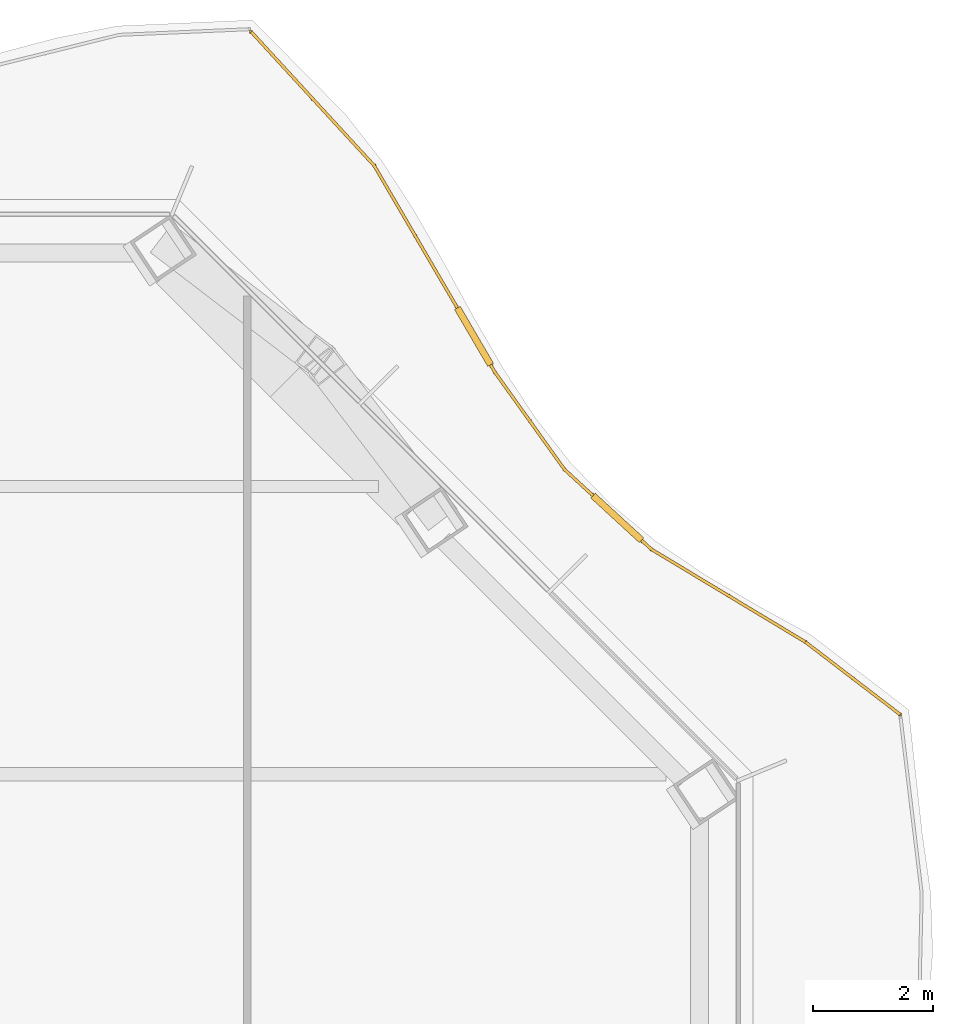
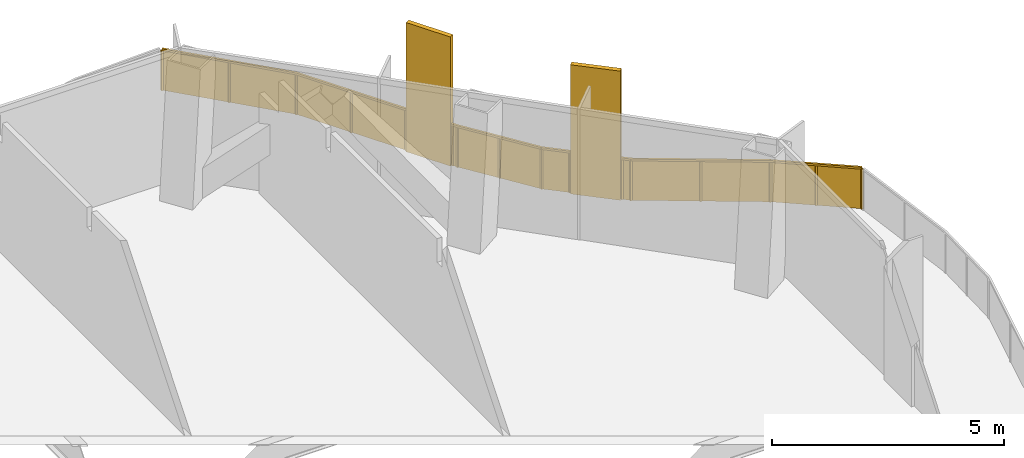
# One storey, part 22 of 22: 1 railing.
"""IFC4 building model written with IfcOpenShell, lengths in metres."""

from ifc_helpers import new_model, si_unit, direction, frame, origin, origin_2d, place, context, subcontext, project, spatial, polyline, rectangle, outline, extrude, material, type_object, element, save


model = new_model("IFC4")

# Units and contexts
model_context = context("Model", 3, precision=1e-05, world=origin(), true_north=direction((0.0, 1.0)))
body_context = subcontext(model_context, "Body", "Model", "MODEL_VIEW")
ifc_project = project(units=[si_unit("LENGTHUNIT", "METRE"), si_unit("AREAUNIT", "SQUARE_METRE"), si_unit("VOLUMEUNIT", "CUBIC_METRE"), si_unit("PLANEANGLEUNIT", "RADIAN"), si_unit("MASSUNIT", "GRAM", prefix="KILO")], contexts=[model_context])

# Site, building, storey
site_placement = place(None, origin())
site = spatial("IfcSite", under=ifc_project, at=site_placement, CompositionType="ELEMENT")
building_placement = place(site_placement, origin())
building = spatial("IfcBuilding", under=site, at=building_placement, Name="Cairn Pilgrim Tower", CompositionType="ELEMENT")
storey_placement = place(building_placement, frame((0.0, 0.0, 112.199951171875)))
storey = spatial("IfcBuildingStorey", under=building, at=storey_placement, Name="L27", CompositionType="ELEMENT", Elevation=112.199951171875)

# Railing
ifc_material = material(Name="Bronze anodised aluminium rail, posts and fin screens with laminated glass infill", Category="aluminium")
railing_type = type_object("IfcRailingType", Name="BALCONY GUARD WITH FIN SCREENS", PredefinedType="GUARDRAIL", material=ifc_material)
railing_placement = place(storey_placement, frame((38.134765625, 19.981201171875, 0.0)))
element("IfcRailing", 1, at=railing_placement, inside=storey, type_object=railing_type, Name="Balcony guard BGF-4 with fin screens", PredefinedType="GUARDRAIL", context=body_context, shape_type="SweptSolid", body=[
    extrude(rectangle(XDim=0.050048828125, YDim=0.050048828125, at=origin_2d()), frame((0.0, 0.0, 1.0751953125), z_axis=(-0.794152517462, 0.607718503099, 0.0), x_axis=(-0.607718503099, -0.794152517462, 0.0)), (0.0, 0.0, 1.0), 1.99169921875),
    extrude(rectangle(XDim=0.050048828125, YDim=0.050048828125, at=origin_2d()), frame((-1.581787109375, 1.21044921875, 1.0751953125), z_axis=(-0.856674433419, 0.515857456208, 0.0), x_axis=(-0.515857456208, -0.856674433419, 0.0)), (0.0, 0.0, 1.0), 3.00439453125),
    extrude(rectangle(XDim=1.10009765625, YDim=0.110107421875, at=origin_2d()), frame((-4.72509765625, 3.28369140625, 0.0), z_axis=(0.0, 0.0, 1.0), x_axis=(-0.736315850352, 0.676637989268, 0.0)), (0.0, 0.0, 1.0), 3.39990234375),
    extrude(rectangle(XDim=0.050048828125, YDim=0.050048828125, at=origin_2d()), frame((-4.155517578125, 2.76025390625, 1.0751953125), z_axis=(-0.736315850352, 0.676637989268, 0.0), x_axis=(-0.676637989268, -0.736315850352, 0.0)), (0.0, 0.0, 1.0), 0.2236328125),
    extrude(rectangle(XDim=0.050048828125, YDim=0.050048828125, at=origin_2d()), frame((-5.130126953125, 3.65576171875, 1.0751953125), z_axis=(-0.736315850352, 0.676637989268, 0.0), x_axis=(-0.676637989268, -0.736315850352, 0.0)), (0.0, 0.0, 1.0), 0.648193359375),
    extrude(rectangle(XDim=0.050048828125, YDim=0.050048828125, at=origin_2d()), frame((-5.607421875, 4.094482421875, 1.0751953125), z_axis=(-0.581992895011, 0.81319386997, 0.0), x_axis=(-0.81319386997, -0.581992895011, 0.0)), (0.0, 0.0, 1.0), 1.98828125),
    extrude(rectangle(XDim=1.10009765625, YDim=0.110107421875, at=origin_2d()), frame((-7.117919921875, 6.31591796875, 0.0), z_axis=(0.0, 0.0, 1.0), x_axis=(-0.504572744985, 0.863369182342, 0.0)), (0.0, 0.0, 1.0), 3.39990234375),
    extrude(rectangle(XDim=0.050048828125, YDim=0.050048828125, at=origin_2d()), frame((-6.7646484375, 5.71142578125, 1.0751953125), z_axis=(-0.504572744985, 0.863369182342, 0.0), x_axis=(-0.863369182342, -0.504572744985, 0.0)), (0.0, 0.0, 1.0), 0.150146484375),
    extrude(rectangle(XDim=0.050048828125, YDim=0.050048828125, at=origin_2d()), frame((-7.3955078125, 6.790771484375, 1.0751953125), z_axis=(-0.504572744985, 0.863369182342, 0.0), x_axis=(-0.863369182342, -0.504572744985, 0.0)), (0.0, 0.0, 1.0), 2.7509765625),
    extrude(rectangle(XDim=0.050048828125, YDim=0.050048828125, at=origin_2d()), frame((-8.783447265625, 9.165771484375, 1.0751953125), z_axis=(-0.676769035408, 0.736195403893, 0.0), x_axis=(-0.736195403893, -0.676769035408, 0.0)), (0.0, 0.0, 1.0), 3.0361328125),
    extrude(rectangle(XDim=0.050048828125, YDim=0.050048828125, at=origin_2d()), origin(), (0.0, 0.0, 1.0), 1.050048828125),
    extrude(rectangle(XDim=0.050048828125, YDim=0.050048828125, at=origin_2d()), frame((-0.791015625, 0.605224609375, 0.0)), (0.0, 0.0, 1.0), 1.050048828125),
    extrude(rectangle(XDim=0.050048828125, YDim=0.050048828125, at=origin_2d()), frame((-1.581787109375, 1.21044921875, 0.0)), (0.0, 0.0, 1.0), 1.050048828125),
    extrude(rectangle(XDim=0.050048828125, YDim=0.050048828125, at=origin_2d()), frame((-2.86865234375, 1.9853515625, 0.0)), (0.0, 0.0, 1.0), 1.050048828125),
    extrude(rectangle(XDim=0.050048828125, YDim=0.050048828125, at=origin_2d()), frame((-4.155517578125, 2.76025390625, 0.0)), (0.0, 0.0, 1.0), 1.050048828125),
    extrude(rectangle(XDim=0.050048828125, YDim=0.050048828125, at=origin_2d()), frame((-4.3017578125, 2.89453125, 0.0)), (0.0, 0.0, 1.0), 1.050048828125),
    extrude(rectangle(XDim=0.050048828125, YDim=0.050048828125, at=origin_2d()), frame((-5.1484375, 3.6728515625, 0.0)), (0.0, 0.0, 1.0), 1.050048828125),
    extrude(rectangle(XDim=0.050048828125, YDim=0.050048828125, at=origin_2d()), frame((-5.607421875, 4.094482421875, 0.0)), (0.0, 0.0, 1.0), 1.050048828125),
    extrude(rectangle(XDim=0.050048828125, YDim=0.050048828125, at=origin_2d()), frame((-6.18603515625, 4.90283203125, 0.0)), (0.0, 0.0, 1.0), 1.050048828125),
    extrude(rectangle(XDim=0.050048828125, YDim=0.050048828125, at=origin_2d()), frame((-6.7646484375, 5.71142578125, 0.0)), (0.0, 0.0, 1.0), 1.050048828125),
    extrude(rectangle(XDim=0.050048828125, YDim=0.050048828125, at=origin_2d()), frame((-6.82763671875, 5.8193359375, 0.0)), (0.0, 0.0, 1.0), 1.050048828125),
    extrude(rectangle(XDim=0.050048828125, YDim=0.050048828125, at=origin_2d()), frame((-7.407958984375, 6.812255859375, 0.0)), (0.0, 0.0, 1.0), 1.050048828125),
    extrude(rectangle(XDim=0.050048828125, YDim=0.050048828125, at=origin_2d()), frame((-8.095703125, 7.989013671875, 0.0)), (0.0, 0.0, 1.0), 1.050048828125),
    extrude(rectangle(XDim=0.050048828125, YDim=0.050048828125, at=origin_2d()), frame((-8.783447265625, 9.165771484375, 0.0)), (0.0, 0.0, 1.0), 1.050048828125),
    extrude(rectangle(XDim=0.050048828125, YDim=0.050048828125, at=origin_2d()), frame((-9.810791015625, 10.283203125, 0.0)), (0.0, 0.0, 1.0), 1.050048828125),
    extrude(rectangle(XDim=0.050048828125, YDim=0.050048828125, at=origin_2d()), frame((-10.838134765625, 11.40087890625, 0.0)), (0.0, 0.0, 1.0), 1.050048828125),
    extrude(outline(polyline([(0.02490234375, 0.0), (0.970947265625, 0.0), (0.970947265625, 1.050048828125), (0.02490234375, 1.050048828125), (0.02490234375, 0.0)])), frame((-0.003662109375, -0.004638671875, 0.0), z_axis=(0.607718503099, 0.794152517462, 0.0), x_axis=(-0.794152517462, 0.607718503099, 0.0)), (0.0, 0.0, 1.0), 0.011962890625),
    extrude(outline(polyline([(0.02490234375, 0.0), (0.970947265625, 0.0), (0.970947265625, 1.050048828125), (0.02490234375, 1.050048828125), (0.02490234375, 0.0)])), frame((-0.79443359375, 0.6005859375, 0.0), z_axis=(0.607718503099, 0.794152517462, 0.0), x_axis=(-0.794152517462, 0.607718503099, 0.0)), (0.0, 0.0, 1.0), 0.011962890625),
    extrude(outline(polyline([(0.02490234375, 0.0), (1.47705078125, 0.0), (1.47705078125, 1.050048828125), (0.02490234375, 1.050048828125), (0.02490234375, 0.0)])), frame((-1.5849609375, 1.205322265625, 0.0), z_axis=(0.515857456208, 0.856674433419, 0.0), x_axis=(-0.856674433419, 0.515857456208, 0.0)), (0.0, 0.0, 1.0), 0.011962890625),
    extrude(outline(polyline([(0.02490234375, 0.0), (1.47705078125, 0.0), (1.47705078125, 1.050048828125), (0.02490234375, 1.050048828125), (0.02490234375, 0.0)])), frame((-2.871826171875, 1.980224609375, 0.0), z_axis=(0.515857456208, 0.856674433419, 0.0), x_axis=(-0.856674433419, 0.515857456208, 0.0)), (0.0, 0.0, 1.0), 0.011962890625),
    extrude(outline(polyline([(0.02490234375, 0.0), (0.173583984375, 0.0), (0.173583984375, 1.050048828125), (0.02490234375, 1.050048828125), (0.02490234375, 0.0)])), frame((-4.15966796875, 2.755859375, 0.0), z_axis=(0.676637989268, 0.736315850352, 0.0), x_axis=(-0.736315850352, 0.676637989268, 0.0)), (0.0, 0.0, 1.0), 0.011962890625),
    extrude(outline(polyline([(0.02490234375, 0.0), (0.59814453125, 0.0), (0.59814453125, 1.050048828125), (0.02490234375, 1.050048828125), (0.02490234375, 0.0)])), frame((-5.152587890625, 3.66845703125, 0.0), z_axis=(0.676637989268, 0.736315850352, 0.0), x_axis=(-0.736315850352, 0.676637989268, 0.0)), (0.0, 0.0, 1.0), 0.011962890625),
    extrude(outline(polyline([(0.02490234375, 0.0), (0.96923828125, 0.0), (0.96923828125, 1.050048828125), (0.02490234375, 1.050048828125), (0.02490234375, 0.0)])), frame((-5.6123046875, 4.091064453125, 0.0), z_axis=(0.81319386997, 0.581992895011, 0.0), x_axis=(-0.581992895011, 0.81319386997, 0.0)), (0.0, 0.0, 1.0), 0.011962890625),
    extrude(outline(polyline([(0.02490234375, 0.0), (0.96923828125, 0.0), (0.96923828125, 1.050048828125), (0.02490234375, 1.050048828125), (0.02490234375, 0.0)])), frame((-6.19091796875, 4.8994140625, 0.0), z_axis=(0.81319386997, 0.581992895011, 0.0), x_axis=(-0.581992895011, 0.81319386997, 0.0)), (0.0, 0.0, 1.0), 0.011962890625),
    extrude(outline(polyline([(0.02490234375, 0.0), (0.10009765625, 0.0), (0.10009765625, 1.050048828125), (0.02490234375, 1.050048828125), (0.02490234375, 0.0)])), frame((-6.769775390625, 5.70849609375, 0.0), z_axis=(0.863369182342, 0.504572744985, 0.0), x_axis=(-0.504572744985, 0.863369182342, 0.0)), (0.0, 0.0, 1.0), 0.011962890625),
    extrude(outline(polyline([(0.02490234375, 0.0), (1.337890625, 0.0), (1.337890625, 1.050048828125), (0.02490234375, 1.050048828125), (0.02490234375, 0.0)])), frame((-7.4130859375, 6.809326171875, 0.0), z_axis=(0.863369182342, 0.504572744985, 0.0), x_axis=(-0.504572744985, 0.863369182342, 0.0)), (0.0, 0.0, 1.0), 0.011962890625),
    extrude(outline(polyline([(0.02490234375, 0.0), (1.337890625, 0.0), (1.337890625, 1.050048828125), (0.02490234375, 1.050048828125), (0.02490234375, 0.0)])), frame((-8.100830078125, 7.986083984375, 0.0), z_axis=(0.863369182342, 0.504572744985, 0.0), x_axis=(-0.504572744985, 0.863369182342, 0.0)), (0.0, 0.0, 1.0), 0.011962890625),
    extrude(outline(polyline([(0.02490234375, 0.0), (1.492919921875, 0.0), (1.492919921875, 1.050048828125), (0.02490234375, 1.050048828125), (0.02490234375, 0.0)])), frame((-8.787841796875, 9.16162109375, 0.0), z_axis=(0.736195403893, 0.676769035408, 0.0), x_axis=(-0.676769035408, 0.736195403893, 0.0)), (0.0, 0.0, 1.0), 0.011962890625),
    extrude(outline(polyline([(0.02490234375, 0.0), (1.492919921875, 0.0), (1.492919921875, 1.050048828125), (0.02490234375, 1.050048828125), (0.02490234375, 0.0)])), frame((-9.815185546875, 10.279296875, 0.0), z_axis=(0.736195403893, 0.676769035408, 0.0), x_axis=(-0.676769035408, 0.736195403893, 0.0)), (0.0, 0.0, 1.0), 0.011962890625),
])

save(model, "model.ifc")
